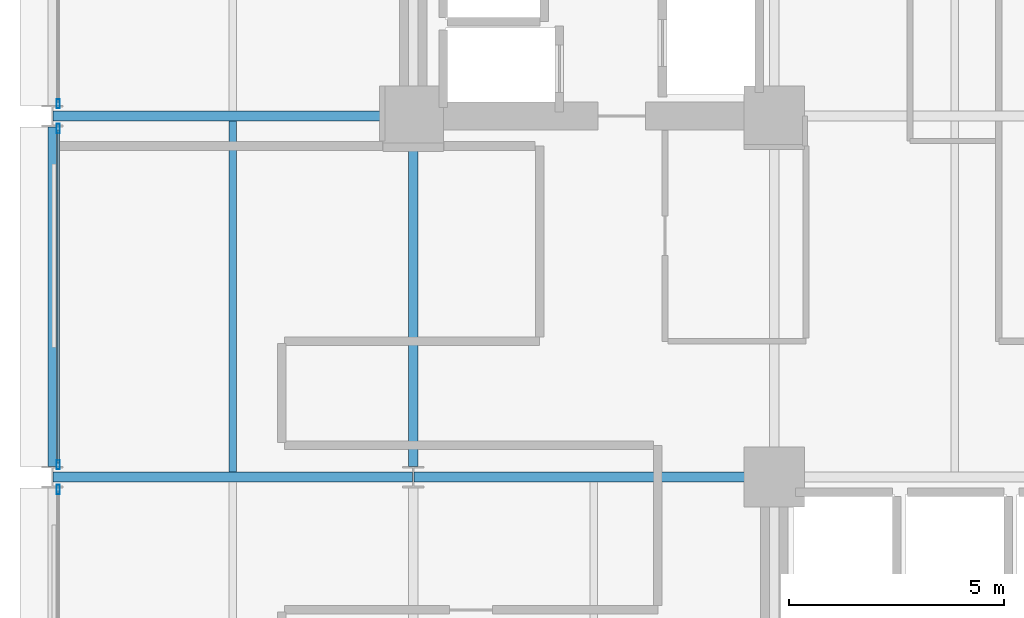
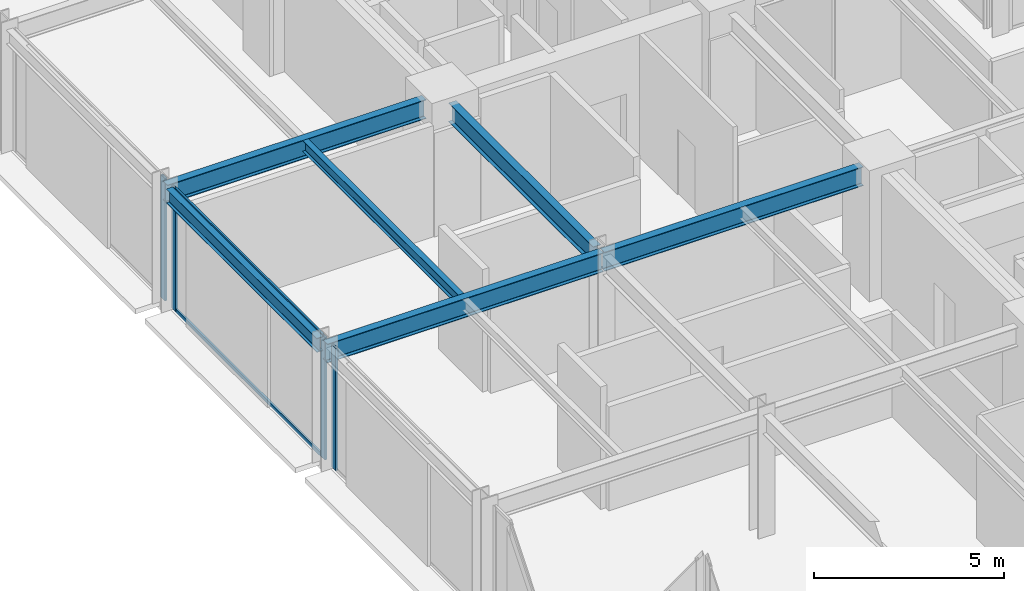
# One storey, part 8 of 27: 6 beams, 6 members, 3 elements without a shape of their own.
"""IFC4 building model written with IfcOpenShell, lengths in metres."""

from ifc_helpers import new_model, si_unit, direction, frame, origin, origin_2d, place, context, subcontext, project, spatial, hollow_rectangle, i_section, extrude, material, layer, layer_set, material_profile, profile_set, type_object, element, aggregate, save


model = new_model("IFC4")

# Units and contexts
model_context = context("Model", 3, precision=1e-05, world=origin(), true_north=direction((0.0, 1.0)))
body_context = subcontext(model_context, "Body", "Model", "MODEL_VIEW")
ifc_project = project(units=[si_unit("LENGTHUNIT", "METRE"), si_unit("AREAUNIT", "SQUARE_METRE"), si_unit("VOLUMEUNIT", "CUBIC_METRE"), si_unit("PLANEANGLEUNIT", "RADIAN"), si_unit("MASSUNIT", "GRAM", prefix="KILO")], contexts=[model_context])

# Site, building, storey
site_placement = place(None, origin())
site = spatial("IfcSite", under=ifc_project, at=site_placement, CompositionType="ELEMENT")
building_placement = place(site_placement, origin())
building = spatial("IfcBuilding", under=site, at=building_placement, Name="Nerrivon Quay Data Exchange", CompositionType="ELEMENT")
storey_placement = place(building_placement, frame((0.0, 0.0, 66.800048828125)))
storey = spatial("IfcBuildingStorey", under=building, at=storey_placement, Name="L15", CompositionType="ELEMENT", Elevation=66.800048828125)

# Beams
ifc_material_1 = material(Name="Steel Grade 350", Category="steel")
ifc_material_profile_1 = material_profile(ifc_material_1, i_section(OverallWidth=0.22900390625, OverallDepth=0.612060546875, WebThickness=0.011962890625, FlangeThickness=0.01953125, FilletRadius=0.013916015625, at=origin_2d()), Name="610UB125")
ifc_profile_set_1 = profile_set([ifc_material_profile_1], Name="Steel Grade 350")
beam_type_1 = type_object("IfcBeamType", Name="BM-G1-610UB125", PredefinedType="BEAM", material=ifc_profile_set_1)
beam_1_placement = place(storey_placement, frame((0.013916015625, 16.800048828125, 3.618896484375), z_axis=(1.0, 0.0, 0.0), x_axis=(0.0, 1.0, 0.0)))
element("IfcBeam", 1, at=beam_1_placement, inside=storey, type_object=beam_type_1, Name="L15 EW Girder Y=16.8 (0.0..8.4)", PredefinedType="BEAM", context=body_context, shape_type="SweptSolid", body=[
    extrude(i_section(OverallWidth=0.22900390625, OverallDepth=0.612060546875, WebThickness=0.011962890625, FlangeThickness=0.01953125, FilletRadius=0.013916015625, at=origin_2d()), origin(), (0.0, 0.0, 1.0), 8.3720703125),
])
beam_2_placement = place(storey_placement, frame((8.4140625, 16.800048828125, 3.618896484375), z_axis=(1.0, 0.0, 0.0), x_axis=(0.0, 1.0, 0.0)))
element("IfcBeam", 2, at=beam_2_placement, inside=storey, type_object=beam_type_1, Name="L15 EW Girder Y=16.8 (8.4..16.8)", PredefinedType="BEAM", context=body_context, shape_type="SweptSolid", body=[
    extrude(i_section(OverallWidth=0.22900390625, OverallDepth=0.612060546875, WebThickness=0.011962890625, FlangeThickness=0.01953125, FilletRadius=0.013916015625, at=origin_2d()), origin(), (0.0, 0.0, 1.0), 7.845947265625),
])
beam_3_placement = place(storey_placement, frame((0.013916015625, 25.199951171875, 3.618896484375), z_axis=(1.0, 0.0, 0.0), x_axis=(0.0, 1.0, 0.0)))
element("IfcBeam", 3, at=beam_3_placement, inside=storey, type_object=beam_type_1, Name="L15 EW Girder Y=25.2 (0.0..8.4)", PredefinedType="BEAM", context=body_context, shape_type="SweptSolid", body=[
    extrude(i_section(OverallWidth=0.22900390625, OverallDepth=0.612060546875, WebThickness=0.011962890625, FlangeThickness=0.01953125, FilletRadius=0.013916015625, at=origin_2d()), origin(), (0.0, 0.0, 1.0), 7.84619140625),
])
ifc_material_profile_2 = material_profile(ifc_material_1, i_section(OverallWidth=0.22802734375, OverallDepth=0.60205078125, WebThickness=0.010498046875, FlangeThickness=0.014892578125, FilletRadius=0.013916015625, at=origin_2d()), Name="610UB101")
ifc_profile_set_2 = profile_set([ifc_material_profile_2], Name="Steel Grade 350")
beam_type_2 = type_object("IfcBeamType", Name="BM-G2-610UB101", PredefinedType="BEAM", material=ifc_profile_set_2)
beam_4_placement = place(storey_placement, frame((8.39990234375, 17.050048828125, 3.6240234375), z_axis=(0.0, 1.0, 0.0), x_axis=(-1.0, 0.0, 0.0)))
element("IfcBeam", 4, at=beam_4_placement, inside=storey, type_object=beam_type_2, Name="L15 NS Girder X=8.4 (16.8..25.2)", PredefinedType="BEAM", context=body_context, shape_type="SweptSolid", body=[
    extrude(i_section(OverallWidth=0.22802734375, OverallDepth=0.60205078125, WebThickness=0.010498046875, FlangeThickness=0.014892578125, FilletRadius=0.013916015625, at=origin_2d()), origin(), (0.0, 0.0, 1.0), 7.60986328125),
])
ifc_material_profile_3 = material_profile(ifc_material_1, i_section(OverallWidth=0.172119140625, OverallDepth=0.35888671875, WebThickness=0.008056640625, FlangeThickness=0.012939453125, FilletRadius=0.011474609375, at=origin_2d()), Name="360UB56.7")
ifc_profile_set_3 = profile_set([ifc_material_profile_3], Name="Steel Grade 350")
beam_type_3 = type_object("IfcBeamType", Name="BM-J3-360UB57", PredefinedType="JOIST", material=ifc_profile_set_3)
beam_5_placement = place(storey_placement, frame((4.199951171875, 16.91455078125, 3.745361328125), z_axis=(0.0, 1.0, 0.0), x_axis=(-1.0, 0.0, 0.0)))
element("IfcBeam", 5, at=beam_5_placement, inside=storey, type_object=beam_type_3, Name="L15 Secondary Joist X=4.2 (16.8..25.2)", PredefinedType="JOIST", context=body_context, shape_type="SweptSolid", body=[
    extrude(i_section(OverallWidth=0.172119140625, OverallDepth=0.35888671875, WebThickness=0.008056640625, FlangeThickness=0.012939453125, FilletRadius=0.011474609375, at=origin_2d()), origin(), (0.0, 0.0, 1.0), 8.1708984375),
])
ifc_material_profile_4 = material_profile(ifc_material_1, i_section(OverallWidth=0.18994140625, OverallDepth=0.4541015625, WebThickness=0.008544921875, FlangeThickness=0.0126953125, FilletRadius=0.011474609375, at=origin_2d()), Name="460UB67.1")
ifc_profile_set_4 = profile_set([ifc_material_profile_4], Name="Steel Grade 350")
beam_type_4 = type_object("IfcBeamType", Name="BM-SP1-460UB67", PredefinedType="SPANDREL", material=ifc_profile_set_4)
beam_6_placement = place(storey_placement, frame((0.0, 17.050048828125, 3.697998046875), z_axis=(0.0, 1.0, 0.0), x_axis=(-1.0, 0.0, 0.0)))
element("IfcBeam", 6, at=beam_6_placement, inside=storey, type_object=beam_type_4, Name="L15 NS Girder X=0.0 (16.8..25.2)", PredefinedType="SPANDREL", context=body_context, shape_type="SweptSolid", body=[
    extrude(i_section(OverallWidth=0.18994140625, OverallDepth=0.4541015625, WebThickness=0.008544921875, FlangeThickness=0.0126953125, FilletRadius=0.011474609375, at=origin_2d()), origin(), (0.0, 0.0, 1.0), 7.89990234375),
])

# Curtain wall, member
ifc_material_2 = material(Name="Anodised aluminium 6063-T6", Category="aluminium")
ifc_layer = layer(ifc_material_2, 0.219970703125)
ifc_layer_set = layer_set([ifc_layer], Name="Anodised aluminium 6063-T6")
curtain_wall_type = type_object("IfcCurtainWallType", Name="CW-SYS-01", PredefinedType="NOTDEFINED", material=ifc_layer_set)
curtain_wall_1_placement = place(storey_placement, origin())
curtain_wall_1 = element("IfcCurtainWall", 7, at=curtain_wall_1_placement, inside=storey, type_object=curtain_wall_type, Name="L15 Unitised Curtain Wall 18", PredefinedType="NOTDEFINED")
ifc_material_profile_5 = material_profile(ifc_material_2, hollow_rectangle(XDim=0.074951171875, YDim=0.219970703125, WallThickness=0.00390625, at=origin_2d()), Name="ALU-MULL-220x75")
ifc_profile_set_5 = profile_set([ifc_material_profile_5], Name="Anodised aluminium 6063-T6")
member_type_1 = type_object("IfcMemberType", Name="CWM-220x75", PredefinedType="MULLION", material=ifc_profile_set_5)
member_1_placement = place(storey_placement, frame((0.139892578125, 16.512451171875, 0.0), z_axis=(0.0, 0.0, 1.0), x_axis=(-1.0, 0.0, 0.0)))
member_1 = element("IfcMember", 8, at=member_1_placement, type_object=member_type_1, Name="CW01 mullion 2", PredefinedType="MULLION", context=body_context, shape_type="SweptSolid", body=[
    extrude(hollow_rectangle(XDim=0.074951171875, YDim=0.219970703125, WallThickness=0.00390625, at=origin_2d()), origin(), (0.0, 0.0, 1.0), 3.925048828125),
])
aggregate(curtain_wall_1, [member_1])

# Curtain wall, members
curtain_wall_2_placement = place(storey_placement, origin())
curtain_wall_2 = element("IfcCurtainWall", 9, at=curtain_wall_2_placement, inside=storey, type_object=curtain_wall_type, Name="L15 Unitised Curtain Wall 19", PredefinedType="NOTDEFINED")
member_2_placement = place(storey_placement, frame((0.139892578125, 17.08740234375, 0.0), z_axis=(0.0, 0.0, 1.0), x_axis=(-1.0, 0.0, 0.0)))
member_2 = element("IfcMember", 10, at=member_2_placement, type_object=member_type_1, Name="CW01 mullion 1", PredefinedType="MULLION", context=body_context, shape_type="SweptSolid", body=[
    extrude(hollow_rectangle(XDim=0.074951171875, YDim=0.219970703125, WallThickness=0.00390625, at=origin_2d()), origin(), (0.0, 0.0, 1.0), 3.925048828125),
])
member_3_placement = place(storey_placement, frame((0.139892578125, 24.91259765625, 0.0), z_axis=(0.0, 0.0, 1.0), x_axis=(-1.0, 0.0, 0.0)))
member_3 = element("IfcMember", 11, at=member_3_placement, type_object=member_type_1, Name="CW01 mullion 2", PredefinedType="MULLION", context=body_context, shape_type="SweptSolid", body=[
    extrude(hollow_rectangle(XDim=0.074951171875, YDim=0.219970703125, WallThickness=0.00390625, at=origin_2d()), origin(), (0.0, 0.0, 1.0), 3.925048828125),
])

# Curtain wall, member
curtain_wall_3_placement = place(storey_placement, origin())
curtain_wall_3 = element("IfcCurtainWall", 12, at=curtain_wall_3_placement, inside=storey, type_object=curtain_wall_type, Name="L15 Unitised Curtain Wall 20", PredefinedType="NOTDEFINED")
member_4_placement = place(storey_placement, frame((0.139892578125, 25.487548828125, 0.0), z_axis=(0.0, 0.0, 1.0), x_axis=(-1.0, 0.0, 0.0)))
member_4 = element("IfcMember", 13, at=member_4_placement, type_object=member_type_1, Name="CW01 mullion 1", PredefinedType="MULLION", context=body_context, shape_type="SweptSolid", body=[
    extrude(hollow_rectangle(XDim=0.074951171875, YDim=0.219970703125, WallThickness=0.00390625, at=origin_2d()), origin(), (0.0, 0.0, 1.0), 3.925048828125),
])
aggregate(curtain_wall_3, [member_4])

# Member
ifc_material_profile_6 = material_profile(ifc_material_2, hollow_rectangle(XDim=0.06005859375, YDim=0.1201171875, WallThickness=0.003173828125, at=origin_2d()), Name="ALU-TRAN-120x60")
ifc_profile_set_6 = profile_set([ifc_material_profile_6], Name="Anodised aluminium 6063-T6")
member_type_2 = type_object("IfcMemberType", Name="CWT-120x60", PredefinedType="USERDEFINED", material=ifc_profile_set_6)
member_5_placement = place(storey_placement, frame((0.139892578125, 17.125, 0.032470703125), z_axis=(0.0, 1.0, 0.0), x_axis=(-1.0, 0.0, 0.0)))
member_5 = element("IfcMember", 14, at=member_5_placement, type_object=member_type_2, Name="CW01 transom 1.1", ObjectType="TRANSOM", PredefinedType="USERDEFINED", context=body_context, shape_type="SweptSolid", body=[
    extrude(hollow_rectangle(XDim=0.06005859375, YDim=0.1201171875, WallThickness=0.003173828125, at=origin_2d()), origin(), (0.0, 0.0, 1.0), 7.75),
])

member_6_placement = place(storey_placement, frame((0.139892578125, 17.125, 3.892333984375), z_axis=(0.0, 1.0, 0.0), x_axis=(-1.0, 0.0, 0.0)))
member_6 = element("IfcMember", 15, at=member_6_placement, type_object=member_type_2, Name="CW01 transom 1.2", ObjectType="TRANSOM", PredefinedType="USERDEFINED", context=body_context, shape_type="SweptSolid", body=[
    extrude(hollow_rectangle(XDim=0.06005859375, YDim=0.1201171875, WallThickness=0.003173828125, at=origin_2d()), origin(), (0.0, 0.0, 1.0), 7.75),
])

aggregate(curtain_wall_2, [member_2, member_3, member_5, member_6])

save(model, "model.ifc")
